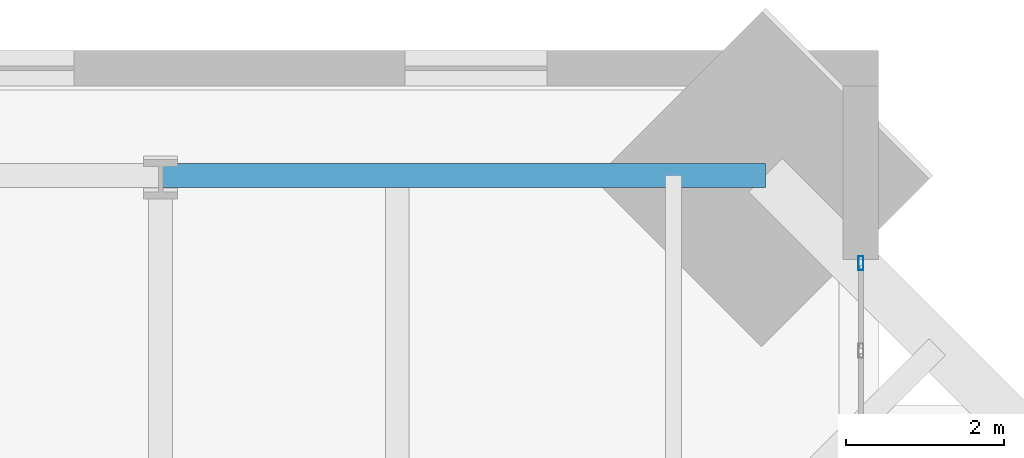
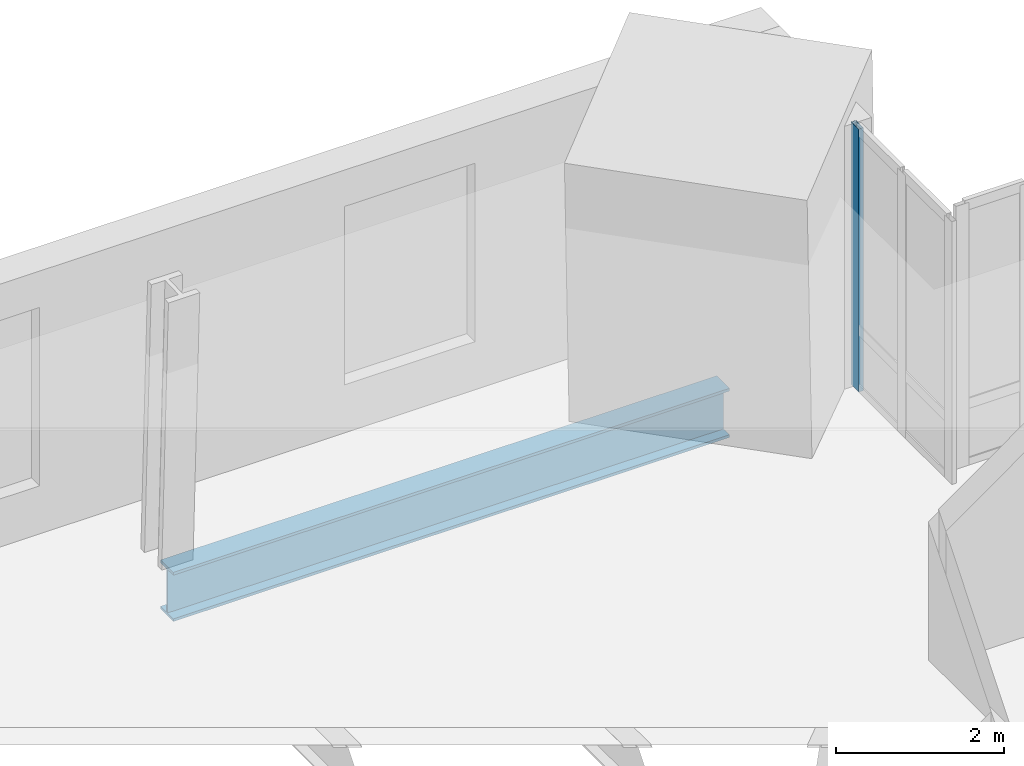
# One storey, part 9 of 16: 1 beam, 1 member, 1 element without a shape of its own.
"""IFC4 building model written with IfcOpenShell, lengths in metres."""

from ifc_helpers import new_model, si_unit, direction, frame, origin, origin_2d, place, context, subcontext, project, spatial, hollow_rectangle, i_section, extrude, material, material_profile, profile_set, type_object, element, aggregate, save


model = new_model("IFC4")

# Units and contexts
model_context = context("Model", 3, precision=1e-05, world=origin(), true_north=direction((0.0, 1.0)))
body_context = subcontext(model_context, "Body", "Model", "MODEL_VIEW")
ifc_project = project(units=[si_unit("LENGTHUNIT", "METRE"), si_unit("AREAUNIT", "SQUARE_METRE"), si_unit("VOLUMEUNIT", "CUBIC_METRE"), si_unit("PLANEANGLEUNIT", "RADIAN"), si_unit("MASSUNIT", "GRAM", prefix="KILO")], contexts=[model_context])

# Site, building, storey
site_placement = place(None, origin())
site = spatial("IfcSite", under=ifc_project, at=site_placement, CompositionType="ELEMENT")
building_placement = place(site_placement, origin())
building = spatial("IfcBuilding", under=site, at=building_placement, Name="Peilmerk Tower", CompositionType="ELEMENT")
storey_placement = place(building_placement, frame((0.0, 0.0, 269.800048828125)))
storey = spatial("IfcBuildingStorey", under=building, at=storey_placement, Name="L60", CompositionType="ELEMENT", Elevation=269.800048828125)

# Beam
ifc_material_1 = material(Name="Steel S355", Category="steel")
ifc_material_profile_1 = material_profile(ifc_material_1, i_section(OverallWidth=0.303955078125, OverallDepth=0.716064453125, WebThickness=0.02099609375, FlangeThickness=0.0400390625, at=origin_2d()), Name="HEM 700")
ifc_profile_set_1 = profile_set([ifc_material_profile_1], Name="Steel S355")
beam_type = type_object("IfcBeamType", Name="B30 HEM 700 edge beam", PredefinedType="SPANDREL", material=ifc_profile_set_1)
beam_placement = place(storey_placement, frame((15.667724609375, 20.017822265625, -0.528076171875), z_axis=(-1.0, 0.0, 0.0), x_axis=(0.0, -1.0, 0.0)))
element("IfcBeam", 1, at=beam_placement, inside=storey, type_object=beam_type, Name="Edge beam L60", PredefinedType="SPANDREL", context=body_context, shape_type="SweptSolid", body=[
    extrude(i_section(OverallWidth=0.303955078125, OverallDepth=0.716064453125, WebThickness=0.02099609375, FlangeThickness=0.0400390625, at=origin_2d()), origin(), (0.0, 0.0, 1.0), 7.667724609375),
])

# Curtain wall, member
ifc_material_2 = material(Name="Aluminium stick curtain wall", Category="aluminium")
curtain_wall_type = type_object("IfcCurtainWallType", Name="CW4 stick curtain wall, 2250 module", PredefinedType="NOTDEFINED", material=ifc_material_2)
curtain_wall_placement = place(storey_placement, origin())
curtain_wall = element("IfcCurtainWall", 2, at=curtain_wall_placement, inside=storey, type_object=curtain_wall_type, Name="Curtain wall CW4 NEA L60", PredefinedType="NOTDEFINED")
ifc_material_3 = material(Name="Aluminium EN AW-6063 T6", Category="aluminium")
ifc_material_profile_2 = material_profile(ifc_material_3, hollow_rectangle(XDim=0.06494140625, YDim=0.179931640625, WallThickness=0.0029296875, at=origin_2d()), Name="AL 180x65x3")
ifc_profile_set_2 = profile_set([ifc_material_profile_2], Name="Aluminium EN AW-6063 T6")
member_type = type_object("IfcMemberType", Name="CW4-M AL 180x65x3 mullion", PredefinedType="MULLION", material=ifc_profile_set_2)
member_placement = place(storey_placement, frame((16.875, 18.90625, 0.0), z_axis=(0.0, 0.0, 1.0), x_axis=(-1.0, 0.0, 0.0)))
member = element("IfcMember", 3, at=member_placement, type_object=member_type, Name="CW4 mullion 3", PredefinedType="MULLION", context=body_context, shape_type="SweptSolid", body=[
    extrude(hollow_rectangle(XDim=0.06494140625, YDim=0.179931640625, WallThickness=0.0029296875, at=origin_2d()), origin(), (0.0, 0.0, 1.0), 3.829833984375),
])
aggregate(curtain_wall, [member])

save(model, "model.ifc")
